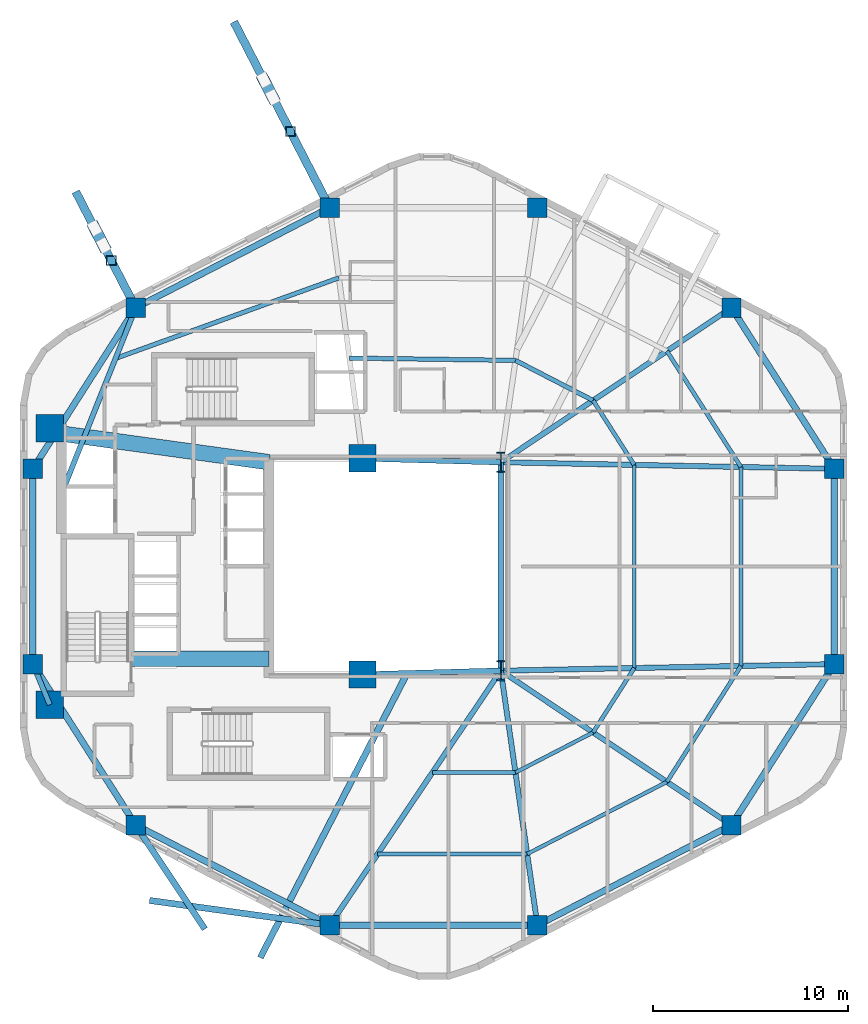
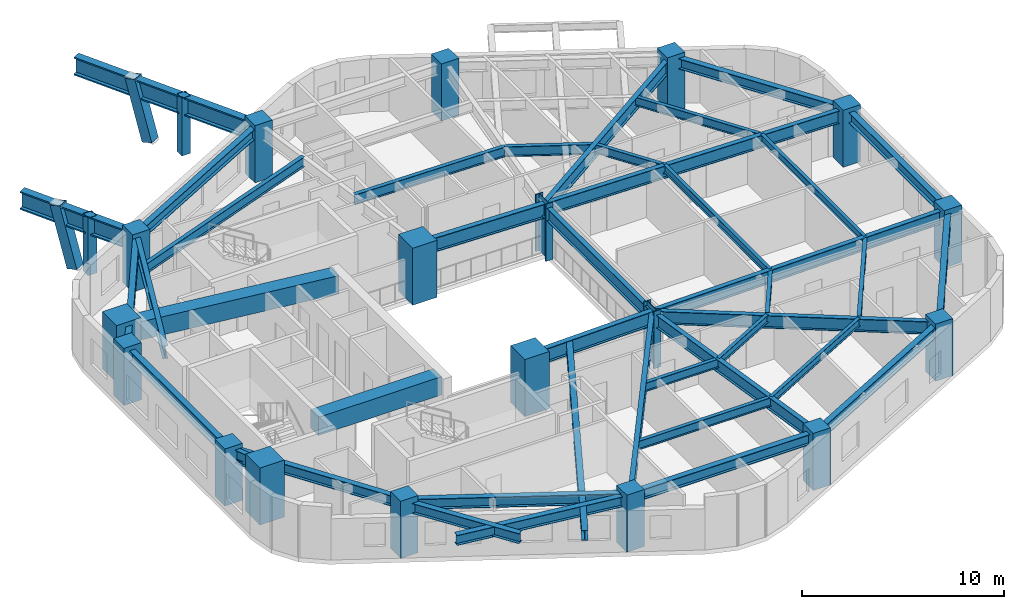
# One storey, part 1 of 8: 41 beams, 18 columns, 4 members.
"""IFC4 building model written with IfcOpenShell, lengths in metres."""

import ifcopenshell
import ifcopenshell.guid

model = None  # the IFC model being written
_history = None  # IfcOwnerHistory: only IFC2X3 demands one
_inside = {}  # id of a spatial element -> (the spatial element, [elements in it])
_under = {}  # id of a project, library or spatial element -> (it, [spatial elements below it])
_declared = {}  # id of a project -> (the project, [libraries it declares])
_typed = {}  # id of a type object -> (the type object, [elements of that type])
_made_of = {}  # id of a material, layer set ... -> (it, [elements and type objects made of it])


def new_model(schema):
    """Start an empty IFC model of exactly this schema.

    Asked for "IFC4X3", IfcOpenShell would pick the latest addendum, in which some entities
    have other attributes; the version numbers below select the first issue.
    IFC2X3 requires an IfcOwnerHistory on every rooted entity: one is made here for all.
    """
    global model, _history
    if schema == "IFC4X3":
        model = ifcopenshell.file(schema_version=(4, 3, 0, 0))
    else:
        model = ifcopenshell.file(schema=schema)
    _inside.clear()
    _under.clear()
    _declared.clear()
    _typed.clear()
    _made_of.clear()
    _history = None
    if model.schema == "IFC2X3":
        org = make("IfcOrganization", Name="unknown")
        user = make(
            "IfcPersonAndOrganization",
            ThePerson=make("IfcPerson", FamilyName="unknown"),
            TheOrganization=org,
        )
        app = make(
            "IfcApplication",
            ApplicationDeveloper=org,
            Version="unknown",
            ApplicationFullName="unknown",
            ApplicationIdentifier="unknown",
        )
        _history = make(
            "IfcOwnerHistory",
            OwningUser=user,
            OwningApplication=app,
            ChangeAction="ADDED",
            CreationDate=0,
        )
    return model


def make(cls, **values):
    """One entity of the class cls with the attributes given. An attribute that is None is left unset."""
    return model.create_entity(
        cls, **{name: value for name, value in values.items() if value is not None}
    )


def rooted(cls, **values):
    """An entity with a GlobalId (a new one), such as an element, a storey or a relation."""
    return make(cls, GlobalId=ifcopenshell.guid.new(), OwnerHistory=_history, **values)


def si_unit(unit_type, name, prefix=None):
    """IfcSIUnit, for example si_unit("LENGTHUNIT", "METRE", prefix="MILLI")."""
    return make("IfcSIUnit", UnitType=unit_type, Prefix=prefix, Name=name)


def assignment(units):
    """IfcUnitAssignment: the units of a project."""
    return None if units is None else make("IfcUnitAssignment", Units=units)


def point(xyz):
    """IfcCartesianPoint."""
    return None if xyz is None else make("IfcCartesianPoint", Coordinates=xyz)


def direction(xyz):
    """IfcDirection."""
    return None if xyz is None else make("IfcDirection", DirectionRatios=xyz)


def frame(location, z_axis=None, x_axis=None):
    """IfcAxis2Placement3D, a coordinate frame: its origin and axes. An axis left out is left unset."""
    return make(
        "IfcAxis2Placement3D",
        Location=point(location),
        Axis=direction(z_axis),
        RefDirection=direction(x_axis),
    )


def frame_2d(location, x_axis=None):
    """IfcAxis2Placement2D, a coordinate frame in the plane: its origin and x axis."""
    return make(
        "IfcAxis2Placement2D", Location=point(location), RefDirection=direction(x_axis)
    )


def origin():
    """The frame at (0, 0, 0) with its axes left unset."""
    return frame((0.0, 0.0, 0.0))


def origin_2d():
    """The frame at (0, 0) in the plane with its x axis left unset."""
    return frame_2d((0.0, 0.0))


def place(relative_to, where):
    """IfcLocalPlacement: puts the frame where relative to a parent placement (None: the world)."""
    return make(
        "IfcLocalPlacement", PlacementRelTo=relative_to, RelativePlacement=where
    )


def context(
    kind, dimensions, precision=None, world=None, true_north=None, identifier=None
):
    """IfcGeometricRepresentationContext, for example the 3D "Model" context."""
    return make(
        "IfcGeometricRepresentationContext",
        ContextIdentifier=identifier,
        ContextType=kind,
        CoordinateSpaceDimension=dimensions,
        Precision=precision,
        WorldCoordinateSystem=world,
        TrueNorth=true_north,
    )


def subcontext(parent, identifier, kind, view, scale=None):
    """IfcGeometricRepresentationSubContext, for example "Body" below "Model"."""
    return make(
        "IfcGeometricRepresentationSubContext",
        ContextIdentifier=identifier,
        ContextType=kind,
        ParentContext=parent,
        TargetScale=scale,
        TargetView=view,
    )


def project(units=None, contexts=None):
    """IfcProject with its units and contexts."""
    return rooted(
        "IfcProject",
        Name="project",
        RepresentationContexts=contexts,
        UnitsInContext=assignment(units),
    )


def spatial(cls, under=None, at=None, **own):
    """A site, building, storey or space (cls), placed at a placement, below another one or the project."""
    s = rooted(cls, ObjectPlacement=at, **own)
    if under is not None:
        _under.setdefault(under.id(), (under, []))[1].append(s)
    return s


def profile(cls, at=None, kind="AREA", **sizes):
    """A parametric profile (cls). Its sizes go by their IFC names, for example OverallWidth=200.0."""
    return make(cls, ProfileType=kind, Position=at, **sizes)


def rectangle(**sizes):
    """IfcRectangleProfileDef."""
    return profile("IfcRectangleProfileDef", **sizes)


def hollow_rectangle(**sizes):
    """IfcRectangleHollowProfileDef."""
    return profile("IfcRectangleHollowProfileDef", **sizes)


def i_section(**sizes):
    """IfcIShapeProfileDef."""
    return profile("IfcIShapeProfileDef", **sizes)


def extrude(swept, where, along, depth):
    """IfcExtrudedAreaSolid: the profile swept, set in the frame where, extruded along a direction by depth."""
    return make(
        "IfcExtrudedAreaSolid",
        SweptArea=swept,
        Position=where,
        ExtrudedDirection=direction(along),
        Depth=depth,
    )


def shape(context_of_items, identifier, shape_type, items):
    """IfcShapeRepresentation: the items that make up one representation, for example the "Body"."""
    return make(
        "IfcShapeRepresentation",
        ContextOfItems=context_of_items,
        RepresentationIdentifier=identifier,
        RepresentationType=shape_type,
        Items=items,
    )


def material(Name=None, Category=None):
    """IfcMaterial."""
    return make("IfcMaterial", Name=Name, Category=Category)


def material_profile(
    of_material, cross_section, Name=None, Category=None, Priority=None
):
    """IfcMaterialProfile: a cross section and its material."""
    return make(
        "IfcMaterialProfile",
        Name=Name,
        Material=of_material,
        Profile=cross_section,
        Priority=Priority,
        Category=Category,
    )


def profile_set(profiles, Name=None, composite=None):
    """IfcMaterialProfileSet."""
    return make(
        "IfcMaterialProfileSet",
        Name=Name,
        MaterialProfiles=profiles,
        CompositeProfile=composite,
    )


def made_of(thing, what):
    """Note that an element or type object is made of a material, layer set ...; save() writes the relation."""
    if what is not None:
        _made_of.setdefault(what.id(), (what, []))[1].append(thing)
    return thing


def type_object(cls, material=None, **own):
    """A type object (cls), such as IfcWallType, which elements share."""
    return made_of(rooted(cls, **own), material)


def element(
    cls,
    number,
    at=None,
    inside=None,
    cuts=None,
    type_object=None,
    material=None,
    context=None,
    identifier="Body",
    shape_type=None,
    held_by="IfcProductDefinitionShape",
    body=None,
    shapes=None,
    **own,
):
    """One element of the class cls, such as IfcWall. Its Tag is "e" and its number.

    at: its placement. inside: the storey or other place that contains it. cuts: it is an
    opening in that element (IfcRelVoidsElement). A single representation is given by context,
    identifier, shape_type and body (its items); several are given by shapes. held_by: the class
    of the entity that holds the representations. save() writes the other relations.
    """
    e = rooted(cls, Tag="e%d" % number, ObjectPlacement=at, **own)
    if body is not None:
        shapes = [shape(context, identifier, shape_type, body)]
    if shapes is not None:
        e.Representation = make(held_by, Representations=shapes)
    if inside is not None:
        _inside.setdefault(inside.id(), (inside, []))[1].append(e)
    if cuts is not None:
        rooted(
            "IfcRelVoidsElement", RelatingBuildingElement=cuts, RelatedOpeningElement=e
        )
    if type_object is not None:
        _typed.setdefault(type_object.id(), (type_object, []))[1].append(e)
    return made_of(e, material)


def aggregate(whole, parts):
    """IfcRelAggregates: a whole, such as a stair, and the parts it consists of."""
    return rooted("IfcRelAggregates", RelatingObject=whole, RelatedObjects=parts)


def save(model, path):
    """Write the relations noted so far, then the file.

    IfcRelAggregates (storeys below a building ...), IfcRelContainedInSpatialStructure (elements
    in a storey), IfcRelDefinesByType, IfcRelAssociatesMaterial and IfcRelDeclares: one each for
    every whole, place, type object, material and project.
    """
    for whole, parts in _under.values():
        aggregate(whole, parts)
    for where, things in _inside.values():
        rooted(
            "IfcRelContainedInSpatialStructure",
            RelatedElements=things,
            RelatingStructure=where,
        )
    for kind, things in _typed.values():
        rooted("IfcRelDefinesByType", RelatedObjects=things, RelatingType=kind)
    for what, things in _made_of.values():
        rooted("IfcRelAssociatesMaterial", RelatedObjects=things, RelatingMaterial=what)
    for by, libraries in _declared.values():
        rooted("IfcRelDeclares", RelatingContext=by, RelatedDefinitions=libraries)
    model.write(path)


model = new_model("IFC4")

# Units and contexts
model_context = context("Model", 3, precision=1e-05, world=origin(), true_north=direction((0.0, 1.0)))
body_context = subcontext(model_context, "Body", "Model", "MODEL_VIEW")
ifc_project = project(units=[si_unit("LENGTHUNIT", "METRE"), si_unit("AREAUNIT", "SQUARE_METRE"), si_unit("VOLUMEUNIT", "CUBIC_METRE"), si_unit("PLANEANGLEUNIT", "RADIAN"), si_unit("MASSUNIT", "GRAM", prefix="KILO"), si_unit("THERMODYNAMICTEMPERATUREUNIT", "KELVIN"), si_unit("POWERUNIT", "WATT")], contexts=[model_context])

# Site, building, storey
site_placement = place(None, origin())
site = spatial("IfcSite", under=ifc_project, at=site_placement, CompositionType="ELEMENT")
building_placement = place(site_placement, origin())
building = spatial("IfcBuilding", under=site, at=building_placement, Name="Skarre Station Tower", CompositionType="ELEMENT")
storey_placement = place(building_placement, frame((0.0, 0.0, 129.14990234375)))
storey = spatial("IfcBuildingStorey", under=building, at=storey_placement, Name="L34", CompositionType="ELEMENT", Elevation=129.14990234375)

# Columns
ifc_material_1 = material(Name="Concrete C60/75", Category="concrete")
ifc_material_profile_1 = material_profile(ifc_material_1, rectangle(XDim=1.0, YDim=1.0, at=origin_2d()), Name="Concrete C60/75")
ifc_profile_set_1 = profile_set([ifc_material_profile_1], Name="Concrete C60/75")
column_type_1 = type_object("IfcColumnType", Name="RC Structural Column RC-COL-1000X1000", PredefinedType="COLUMN", material=ifc_profile_set_1)
for number, where, z_axis, x_axis, name in (
    (1, (51.291015625, 37.277099609375, 0.0), (0.0, 0.0, 1.0), (1.0, 0.0, 0.0), "L34 Zone 2 Perimeter Column F0C1"),
    (2, (41.3310546875, 42.41796875, 0.0), (0.0, 0.0, 1.0), (1.0, 0.0, 0.0), "L34 Zone 2 Perimeter Column F0C2"),
    (3, (30.6689453125, 42.41796875, 0.0), (0.0, 0.0, 1.0), (1.0, 0.0, 0.0), "L34 Zone 2 Perimeter Column F1C1"),
    (4, (20.708984375, 37.277099609375, 0.0), (0.0, 0.0, 1.0), (1.0, 0.0, 0.0), "L34 Zone 2 Perimeter Column F1C2"),
    (5, (15.431884765625, 29.010986328125, 0.0), (0.0, 0.0, 1.0), (1.0, 0.0, 0.0), "L34 Zone 2 Perimeter Column F2C1"),
    (6, (15.431884765625, 18.989013671875, 0.0), (0.0, 0.0, 1.0), (1.0, 0.0, 0.0), "L34 Zone 2 Perimeter Column F2C2"),
    (7, (20.708984375, 10.722900390625, 0.0), (0.0, 0.0, 1.0), (1.0, 0.0, 0.0), "L34 Zone 2 Perimeter Column F3C1"),
    (8, (30.6689453125, 5.58203125, 0.0), (0.0, 0.0, 1.0), (1.0, 0.0, 0.0), "L34 Zone 2 Perimeter Column F3C2"),
    (9, (41.3310546875, 5.58203125, 0.0), (0.0, 0.0, 1.0), (1.0, 0.0, 0.0), "L34 Zone 2 Perimeter Column F4C1"),
    (10, (51.291015625, 10.722900390625, 0.0), (0.0, 0.0, 1.0), (1.0, 0.0, 0.0), "L34 Zone 2 Perimeter Column F4C2"),
    (11, (56.568115234375, 18.989013671875, 0.0), (0.0, 0.0, 1.0), (1.0, 0.0, 0.0), "L34 Zone 2 Perimeter Column F5C1"),
    (12, (56.568115234375, 29.010986328125, 0.0), (0.0, 0.0, 1.0), (1.0, 0.0, 0.0), "L34 Zone 2 Perimeter Column F5C2"),
):
    element("IfcColumn", number, at=place(storey_placement, frame(where, z_axis=z_axis, x_axis=x_axis)), inside=storey, type_object=column_type_1, Name=name, PredefinedType="COLUMN", context=body_context, shape_type="SweptSolid", body=[
        extrude(rectangle(XDim=1.0, YDim=1.0, at=origin_2d()), origin(), (0.0, 0.0, 1.0), 3.4501953125),
    ])
ifc_material_2 = material(Name="Concrete C70/85", Category="concrete")
ifc_material_profile_2 = material_profile(ifc_material_2, rectangle(XDim=1.39990234375, YDim=1.39990234375, at=origin_2d()), Name="Concrete C70/85")
ifc_profile_set_2 = profile_set([ifc_material_profile_2], Name="Concrete C70/85")
column_type_2 = type_object("IfcColumnType", Name="RC Structural Column RC-COL-1400X1400", PredefinedType="COLUMN", material=ifc_profile_set_2)
for number, where, z_axis, x_axis, name in (
    (13, (16.300048828125, 16.89990234375, 0.0), (0.0, 0.0, 1.0), (1.0, 0.0, 0.0), "L34 Core Column CC-SW"),
    (14, (16.300048828125, 31.10009765625, 0.0), (0.0, 0.0, 1.0), (1.0, 0.0, 0.0), "L34 Core Column CC-NW"),
    (15, (32.35009765625, 18.449951171875, 0.0), (0.0, 0.0, 1.0), (1.0, 0.0, 0.0), "L34 Core Column CC-SE"),
    (16, (32.35009765625, 29.550048828125, 0.0), (0.0, 0.0, 1.0), (1.0, 0.0, 0.0), "L34 Core Column CC-NE"),
):
    element("IfcColumn", number, at=place(storey_placement, frame(where, z_axis=z_axis, x_axis=x_axis)), inside=storey, type_object=column_type_2, Name=name, PredefinedType="COLUMN", context=body_context, shape_type="SweptSolid", body=[
        extrude(rectangle(XDim=1.39990234375, YDim=1.39990234375, at=origin_2d()), origin(), (0.0, 0.0, 1.0), 3.4501953125),
    ])
ifc_material_3 = material(Name="Steel ASTM A913 Grade 65", Category="steel")
ifc_material_profile_3 = material_profile(ifc_material_3, i_section(OverallWidth=0.409912109375, OverallDepth=1.041015625, WebThickness=0.031005859375, FlangeThickness=0.055908203125, at=origin_2d()), Name="Steel ASTM A913 Grade 65")
ifc_profile_set_3 = profile_set([ifc_material_profile_3], Name="Steel ASTM A913 Grade 65")
column_type_3 = type_object("IfcColumnType", Name="Steel Column W40X397", PredefinedType="COLUMN", material=ifc_profile_set_3)
for number, where, z_axis, x_axis, name in (
    (17, (39.449951171875, 18.64990234375, 0.0), (0.0, 0.0, 1.0), (1.0, 0.0, 0.0), "L34 Atrium Spine Column AC-SE"),
    (18, (39.449951171875, 29.35009765625, 0.0), (0.0, 0.0, 1.0), (1.0, 0.0, 0.0), "L34 Atrium Spine Column AC-NE"),
):
    element("IfcColumn", number, at=place(storey_placement, frame(where, z_axis=z_axis, x_axis=x_axis)), inside=storey, type_object=column_type_3, Name=name, PredefinedType="COLUMN", context=body_context, shape_type="SweptSolid", body=[
        extrude(i_section(OverallWidth=0.409912109375, OverallDepth=1.041015625, WebThickness=0.031005859375, FlangeThickness=0.055908203125, at=origin_2d()), origin(), (0.0, 0.0, 1.0), 3.4501953125),
    ])

# Beams
ifc_material_profile_4 = material_profile(ifc_material_2, rectangle(XDim=0.800048828125, YDim=1.10009765625, at=origin_2d()), Name="Concrete C70/85")
ifc_profile_set_4 = profile_set([ifc_material_profile_4], Name="Concrete C70/85")
beam_type_1 = type_object("IfcBeamType", Name="RC Core Coupling Lintel 800x1100", PredefinedType="LINTEL", material=ifc_profile_set_4)
beam_1_placement = place(storey_placement, frame((20.489990234375, 19.260009765625, 2.64013671875), z_axis=(1.0, 0.0, 0.0), x_axis=(0.0, 1.0, 0.0)))
element("IfcBeam", 19, at=beam_1_placement, inside=storey, type_object=beam_type_1, Name="L34 South Core Coupling Lintel", PredefinedType="LINTEL", context=body_context, shape_type="SweptSolid", body=[
    extrude(rectangle(XDim=0.800048828125, YDim=1.10009765625, at=origin_2d()), origin(), (0.0, 0.0, 1.0), 7.06005859375),
])
beam_2_placement = place(storey_placement, frame((17.050048828125, 30.800048828125, 2.64013671875), z_axis=(0.990599723633, -0.136792498109, 0.0), x_axis=(0.136792498109, 0.990599723633, 0.0)))
element("IfcBeam", 20, at=beam_2_placement, inside=storey, type_object=beam_type_1, Name="L34 North Core Coupling Lintel", PredefinedType="LINTEL", context=body_context, shape_type="SweptSolid", body=[
    extrude(rectangle(XDim=0.800048828125, YDim=1.10009765625, at=origin_2d()), origin(), (0.0, 0.0, 1.0), 10.599609375),
])
ifc_material_4 = material(Name="Steel ASTM A992 Grade 50", Category="steel")
ifc_material_profile_5 = material_profile(ifc_material_4, i_section(OverallWidth=0.323974609375, OverallDepth=0.611083984375, WebThickness=0.012939453125, FlangeThickness=0.01904296875, at=origin_2d()), Name="Steel ASTM A992 Grade 50")
ifc_profile_set_5 = profile_set([ifc_material_profile_5], Name="Steel ASTM A992 Grade 50")
beam_type_2 = type_object("IfcBeamType", Name="Steel Beam W24X104", PredefinedType="BEAM", material=ifc_profile_set_5)
beam_3_placement = place(storey_placement, frame((20.708984375, 10.722900390625, 2.800048828125), z_axis=(0.554374893847, -0.83226707076, 0.0), x_axis=(0.83226707076, 0.554374893847, 0.0)))
element("IfcBeam", 21, at=beam_3_placement, inside=storey, type_object=beam_type_2, Name="L34 TB-L35-F3 Center Outrigger Beam", PredefinedType="BEAM", context=body_context, shape_type="SweptSolid", body=[
    extrude(i_section(OverallWidth=0.323974609375, OverallDepth=0.611083984375, WebThickness=0.012939453125, FlangeThickness=0.01904296875, at=origin_2d()), origin(), (0.0, 0.0, 1.0), 6.408935546875),
])
beam_4_placement = place(storey_placement, frame((30.6689453125, 5.58203125, 2.800048828125), z_axis=(-0.990635036315, 0.13653653293, 0.0), x_axis=(-0.13653653293, -0.990635036315, 0.0)))
element("IfcBeam", 22, at=beam_4_placement, inside=storey, type_object=beam_type_2, Name="L34 TB-L35-F3 Outrigger Beam 1", PredefinedType="BEAM", context=body_context, shape_type="SweptSolid", body=[
    extrude(i_section(OverallWidth=0.323974609375, OverallDepth=0.611083984375, WebThickness=0.012939453125, FlangeThickness=0.01904296875, at=origin_2d()), origin(), (0.0, 0.0, 1.0), 9.33740234375),
])
beam_5_placement = place(storey_placement, frame((34.638916015625, 18.513916015625, 2.800048828125), z_axis=(-0.458694797792, -0.888593879384, 0.0), x_axis=(0.888593879384, -0.458694797792, 0.0)))
element("IfcBeam", 23, at=beam_5_placement, inside=storey, type_object=beam_type_2, Name="L34 TB-L35-F3 Outrigger Beam 2", PredefinedType="BEAM", context=body_context, shape_type="SweptSolid", body=[
    extrude(i_section(OverallWidth=0.323974609375, OverallDepth=0.611083984375, WebThickness=0.012939453125, FlangeThickness=0.01904296875, at=origin_2d()), origin(), (0.0, 0.0, 1.0), 16.422607421875),
])
ifc_material_profile_6 = material_profile(ifc_material_4, i_section(OverallWidth=0.26806640625, OverallDepth=0.77001953125, WebThickness=0.01611328125, FlangeThickness=0.02490234375, at=origin_2d()), Name="Steel ASTM A992 Grade 50")
ifc_profile_set_6 = profile_set([ifc_material_profile_6], Name="Steel ASTM A992 Grade 50")
beam_type_3 = type_object("IfcBeamType", Name="Steel Beam W30X132", PredefinedType="BEAM", material=ifc_profile_set_6)
beam_6_placement = place(storey_placement, frame((39.449951171875, 18.64990234375, 2.80517578125), z_axis=(0.0, 1.0, 0.0), x_axis=(-1.0, 0.0, 0.0)))
element("IfcBeam", 24, at=beam_6_placement, inside=storey, type_object=beam_type_3, Name="L34 Atrium East Edge Girder", PredefinedType="BEAM", context=body_context, shape_type="SweptSolid", body=[
    extrude(i_section(OverallWidth=0.26806640625, OverallDepth=0.77001953125, WebThickness=0.01611328125, FlangeThickness=0.02490234375, at=origin_2d()), origin(), (0.0, 0.0, 1.0), 10.7001953125),
])
beam_7_placement = place(storey_placement, frame((39.449951171875, 29.35009765625, 2.80517578125), z_axis=(0.830981218317, 0.556300471692, 0.0), x_axis=(-0.556300471692, 0.830981218317, 0.0)))
element("IfcBeam", 25, at=beam_7_placement, inside=storey, type_object=beam_type_3, Name="L34 Radial Floor Girder F0C1", PredefinedType="BEAM", context=body_context, shape_type="SweptSolid", body=[
    extrude(i_section(OverallWidth=0.26806640625, OverallDepth=0.77001953125, WebThickness=0.01611328125, FlangeThickness=0.02490234375, at=origin_2d()), origin(), (0.0, 0.0, 1.0), 14.24951171875),
])
beam_8_placement = place(storey_placement, frame((17.010009765625, 28.0, 2.80517578125), z_axis=(0.370366288946, 0.928885790618, 0.0), x_axis=(-0.928885790618, 0.370366288946, 0.0)))
element("IfcBeam", 26, at=beam_8_placement, inside=storey, type_object=beam_type_3, Name="L34 Radial Floor Girder F1C2", PredefinedType="BEAM", context=body_context, shape_type="SweptSolid", body=[
    extrude(i_section(OverallWidth=0.26806640625, OverallDepth=0.77001953125, WebThickness=0.01611328125, FlangeThickness=0.02490234375, at=origin_2d()), origin(), (0.0, 0.0, 1.0), 9.9873046875),
])
beam_9_placement = place(storey_placement, frame((16.300048828125, 16.89990234375, 2.80517578125), z_axis=(-0.383749333092, 0.923437301256, 0.0), x_axis=(-0.923437301256, -0.383749333092, 0.0)))
element("IfcBeam", 27, at=beam_9_placement, inside=storey, type_object=beam_type_3, Name="L34 Radial Floor Girder F2C2", PredefinedType="BEAM", context=body_context, shape_type="SweptSolid", body=[
    extrude(i_section(OverallWidth=0.26806640625, OverallDepth=0.77001953125, WebThickness=0.01611328125, FlangeThickness=0.02490234375, at=origin_2d()), origin(), (0.0, 0.0, 1.0), 2.26220703125),
])
beam_10_placement = place(storey_placement, frame((39.449951171875, 18.64990234375, 2.80517578125), z_axis=(-0.55773464691, -0.830019315219, 0.0), x_axis=(0.830019315219, -0.55773464691, 0.0)))
element("IfcBeam", 28, at=beam_10_placement, inside=storey, type_object=beam_type_3, Name="L34 Radial Floor Girder F3C2", PredefinedType="BEAM", context=body_context, shape_type="SweptSolid", body=[
    extrude(i_section(OverallWidth=0.26806640625, OverallDepth=0.77001953125, WebThickness=0.01611328125, FlangeThickness=0.02490234375, at=origin_2d()), origin(), (0.0, 0.0, 1.0), 15.744140625),
])
beam_11_placement = place(storey_placement, frame((39.449951171875, 18.64990234375, 2.80517578125), z_axis=(0.142480121776, -0.989797663616, 0.0), x_axis=(0.989797663616, 0.142480121776, 0.0)))
element("IfcBeam", 29, at=beam_11_placement, inside=storey, type_object=beam_type_3, Name="L34 Radial Floor Girder F4C1", PredefinedType="BEAM", context=body_context, shape_type="SweptSolid", body=[
    extrude(i_section(OverallWidth=0.26806640625, OverallDepth=0.77001953125, WebThickness=0.01611328125, FlangeThickness=0.02490234375, at=origin_2d()), origin(), (0.0, 0.0, 1.0), 13.20263671875),
])
beam_12_placement = place(storey_placement, frame((39.449951171875, 18.64990234375, 2.80517578125), z_axis=(0.830981218317, -0.556300471692, 0.0), x_axis=(0.556300471692, 0.830981218317, 0.0)))
element("IfcBeam", 30, at=beam_12_placement, inside=storey, type_object=beam_type_3, Name="L34 Radial Floor Girder F4C2", PredefinedType="BEAM", context=body_context, shape_type="SweptSolid", body=[
    extrude(i_section(OverallWidth=0.26806640625, OverallDepth=0.77001953125, WebThickness=0.01611328125, FlangeThickness=0.02490234375, at=origin_2d()), origin(), (0.0, 0.0, 1.0), 14.24951171875),
])
for number, where, z_axis, x_axis, name in (
    (31, (39.449951171875, 18.64990234375, 2.80517578125), (0.999803839107, 0.019806143142, 0.0), (-0.019806143142, 0.999803839107, 0.0), "L34 Radial Floor Girder F5C1"),
    (32, (39.449951171875, 29.35009765625, 2.80517578125), (0.999803839107, -0.019806143142, 0.0), (0.019806143142, 0.999803839107, 0.0), "L34 Radial Floor Girder F5C2"),
):
    element("IfcBeam", number, at=place(storey_placement, frame(where, z_axis=z_axis, x_axis=x_axis)), inside=storey, type_object=beam_type_3, Name=name, PredefinedType="BEAM", context=body_context, shape_type="SweptSolid", body=[
        extrude(i_section(OverallWidth=0.26806640625, OverallDepth=0.77001953125, WebThickness=0.01611328125, FlangeThickness=0.02490234375, at=origin_2d()), origin(), (0.0, 0.0, 1.0), 17.12158203125),
    ])
ifc_material_profile_7 = material_profile(ifc_material_4, i_section(OverallWidth=0.2919921875, OverallDepth=0.85888671875, WebThickness=0.01708984375, FlangeThickness=0.031005859375, at=origin_2d()), Name="Steel ASTM A992 Grade 50")
ifc_profile_set_7 = profile_set([ifc_material_profile_7], Name="Steel ASTM A992 Grade 50")
beam_type_4 = type_object("IfcBeamType", Name="Steel Beam W33X169", PredefinedType="BEAM", material=ifc_profile_set_7)
for number, where, z_axis, x_axis, name in (
    (33, (32.35009765625, 18.449951171875, 2.760986328125), (0.999603666405, 0.028151556095, 0.0), (-0.028151556095, 0.999603666405, 0.0), "L34 Atrium South Edge Girder"),
    (34, (32.35009765625, 29.550048828125, 2.760986328125), (0.999603666405, -0.028151556095, 0.0), (0.028151556095, 0.999603666405, 0.0), "L34 Atrium North Edge Girder"),
):
    element("IfcBeam", number, at=place(storey_placement, frame(where, z_axis=z_axis, x_axis=x_axis)), inside=storey, type_object=beam_type_4, Name=name, PredefinedType="BEAM", context=body_context, shape_type="SweptSolid", body=[
        extrude(i_section(OverallWidth=0.2919921875, OverallDepth=0.85888671875, WebThickness=0.01708984375, FlangeThickness=0.031005859375, at=origin_2d()), origin(), (0.0, 0.0, 1.0), 7.102783203125),
    ])
ifc_material_profile_8 = material_profile(ifc_material_4, i_section(OverallWidth=0.19091796875, OverallDepth=0.45703125, WebThickness=0.009033203125, FlangeThickness=0.013916015625, at=origin_2d()), Name="Steel ASTM A992 Grade 50")
ifc_profile_set_8 = profile_set([ifc_material_profile_8], Name="Steel ASTM A992 Grade 50")
beam_type_5 = type_object("IfcBeamType", Name="Steel Joist W18X50", PredefinedType="JOIST", material=ifc_profile_set_8)
beam_13_placement = place(storey_placement, frame((40.201904296875, 13.423095703125, 2.962158203125), z_axis=(0.888658598325, 0.458569401097, 0.0), x_axis=(-0.458569401097, 0.888658598325, 0.0)))
element("IfcBeam", 35, at=beam_13_placement, inside=storey, type_object=beam_type_5, Name="L34 Auxiliary Composite Joist 9", PredefinedType="JOIST", context=body_context, shape_type="SweptSolid", body=[
    extrude(i_section(OverallWidth=0.19091796875, OverallDepth=0.45703125, WebThickness=0.009033203125, FlangeThickness=0.013916015625, at=origin_2d()), origin(), (0.0, 0.0, 1.0), 4.4833984375),
])
beam_14_placement = place(storey_placement, frame((40.803955078125, 9.240966796875, 2.962158203125), z_axis=(0.888599977053, 0.458682985057, 0.0), x_axis=(-0.458682985057, 0.888599977053, 0.0)))
element("IfcBeam", 36, at=beam_14_placement, inside=storey, type_object=beam_type_5, Name="L34 Auxiliary Composite Joist 10", PredefinedType="JOIST", context=body_context, shape_type="SweptSolid", body=[
    extrude(i_section(OverallWidth=0.19091796875, OverallDepth=0.45703125, WebThickness=0.009033203125, FlangeThickness=0.013916015625, at=origin_2d()), origin(), (0.0, 0.0, 1.0), 8.0712890625),
])
beam_15_placement = place(storey_placement, frame((46.297119140625, 18.785888671875, 2.962158203125), z_axis=(0.0, 1.0, 0.0), x_axis=(-1.0, 0.0, 0.0)))
element("IfcBeam", 37, at=beam_15_placement, inside=storey, type_object=beam_type_5, Name="L34 Auxiliary Composite Joist 13", PredefinedType="JOIST", context=body_context, shape_type="SweptSolid", body=[
    extrude(i_section(OverallWidth=0.19091796875, OverallDepth=0.45703125, WebThickness=0.009033203125, FlangeThickness=0.013916015625, at=origin_2d()), origin(), (0.0, 0.0, 1.0), 10.42822265625),
])
beam_16_placement = place(storey_placement, frame((51.77490234375, 18.89404296875, 2.962158203125), z_axis=(0.0, 1.0, 0.0), x_axis=(-1.0, 0.0, 0.0)))
element("IfcBeam", 38, at=beam_16_placement, inside=storey, type_object=beam_type_5, Name="L34 Auxiliary Composite Joist 14", PredefinedType="JOIST", context=body_context, shape_type="SweptSolid", body=[
    extrude(i_section(OverallWidth=0.19091796875, OverallDepth=0.45703125, WebThickness=0.009033203125, FlangeThickness=0.013916015625, at=origin_2d()), origin(), (0.0, 0.0, 1.0), 10.2119140625),
])
ifc_material_profile_9 = material_profile(ifc_material_4, i_section(OverallWidth=0.208984375, OverallDepth=0.532958984375, WebThickness=0.010009765625, FlangeThickness=0.01611328125, at=origin_2d()), Name="Steel ASTM A992 Grade 50")
ifc_profile_set_9 = profile_set([ifc_material_profile_9], Name="Steel ASTM A992 Grade 50")
beam_type_6 = type_object("IfcBeamType", Name="Steel Joist W21X62", PredefinedType="JOIST", material=ifc_profile_set_9)
beam_17_placement = place(storey_placement, frame((35.93798828125, 13.423095703125, 2.923095703125), z_axis=(1.0, 0.0, 0.0), x_axis=(0.0, 1.0, 0.0)))
element("IfcBeam", 39, at=beam_17_placement, inside=storey, type_object=beam_type_6, Name="L34 Auxiliary Composite Joist 7", PredefinedType="JOIST", context=body_context, shape_type="SweptSolid", body=[
    extrude(i_section(OverallWidth=0.208984375, OverallDepth=0.532958984375, WebThickness=0.010009765625, FlangeThickness=0.01611328125, at=origin_2d()), origin(), (0.0, 0.0, 1.0), 4.263916015625),
])
beam_18_placement = place(storey_placement, frame((33.1279296875, 9.240966796875, 2.923095703125), z_axis=(1.0, 0.0, 0.0), x_axis=(0.0, 1.0, 0.0)))
element("IfcBeam", 40, at=beam_18_placement, inside=storey, type_object=beam_type_6, Name="L34 Auxiliary Composite Joist 8", PredefinedType="JOIST", context=body_context, shape_type="SweptSolid", body=[
    extrude(i_section(OverallWidth=0.208984375, OverallDepth=0.532958984375, WebThickness=0.010009765625, FlangeThickness=0.01611328125, at=origin_2d()), origin(), (0.0, 0.0, 1.0), 7.676025390625),
])
beam_19_placement = place(storey_placement, frame((44.18603515625, 15.47900390625, 2.923095703125), z_axis=(0.538090955129, 0.842886780065, 0.0), x_axis=(-0.842886780065, 0.538090955129, 0.0)))
element("IfcBeam", 41, at=beam_19_placement, inside=storey, type_object=beam_type_6, Name="L34 Auxiliary Composite Joist 11", PredefinedType="JOIST", context=body_context, shape_type="SweptSolid", body=[
    extrude(i_section(OverallWidth=0.208984375, OverallDepth=0.532958984375, WebThickness=0.010009765625, FlangeThickness=0.01611328125, at=origin_2d()), origin(), (0.0, 0.0, 1.0), 3.92333984375),
])
beam_20_placement = place(storey_placement, frame((47.97607421875, 12.943115234375, 2.923095703125), z_axis=(0.538072046089, 0.842898851119, 0.0), x_axis=(-0.842898851119, 0.538072046089, 0.0)))
element("IfcBeam", 42, at=beam_20_placement, inside=storey, type_object=beam_type_6, Name="L34 Auxiliary Composite Joist 12", PredefinedType="JOIST", context=body_context, shape_type="SweptSolid", body=[
    extrude(i_section(OverallWidth=0.208984375, OverallDepth=0.532958984375, WebThickness=0.010009765625, FlangeThickness=0.01611328125, at=origin_2d()), origin(), (0.0, 0.0, 1.0), 7.06005859375),
])
beam_21_placement = place(storey_placement, frame((46.297119140625, 29.214111328125, 2.923095703125), z_axis=(-0.538090955129, 0.842886780065, 0.0), x_axis=(-0.842886780065, -0.538090955129, 0.0)))
element("IfcBeam", 43, at=beam_21_placement, inside=storey, type_object=beam_type_6, Name="L34 Auxiliary Composite Joist 15", PredefinedType="JOIST", context=body_context, shape_type="SweptSolid", body=[
    extrude(i_section(OverallWidth=0.208984375, OverallDepth=0.532958984375, WebThickness=0.010009765625, FlangeThickness=0.01611328125, at=origin_2d()), origin(), (0.0, 0.0, 1.0), 3.92333984375),
])
beam_22_placement = place(storey_placement, frame((51.77490234375, 29.10595703125, 2.923095703125), z_axis=(-0.538072046089, 0.842898851119, 0.0), x_axis=(-0.842898851119, -0.538072046089, 0.0)))
element("IfcBeam", 44, at=beam_22_placement, inside=storey, type_object=beam_type_6, Name="L34 Auxiliary Composite Joist 16", PredefinedType="JOIST", context=body_context, shape_type="SweptSolid", body=[
    extrude(i_section(OverallWidth=0.208984375, OverallDepth=0.532958984375, WebThickness=0.010009765625, FlangeThickness=0.01611328125, at=origin_2d()), origin(), (0.0, 0.0, 1.0), 7.06005859375),
])
ifc_material_profile_10 = material_profile(ifc_material_4, i_section(OverallWidth=0.22802734375, OverallDepth=0.60791015625, WebThickness=0.010986328125, FlangeThickness=0.01708984375, at=origin_2d()), Name="Steel ASTM A992 Grade 50")
ifc_profile_set_10 = profile_set([ifc_material_profile_10], Name="Steel ASTM A992 Grade 50")
beam_type_7 = type_object("IfcBeamType", Name="Steel Joist W24X76", PredefinedType="JOIST", material=ifc_profile_set_10)
beam_23_placement = place(storey_placement, frame((44.18603515625, 32.52099609375, 2.885986328125), z_axis=(-0.888658598325, 0.458569401097, 0.0), x_axis=(-0.458569401097, -0.888658598325, 0.0)))
element("IfcBeam", 45, at=beam_23_placement, inside=storey, type_object=beam_type_7, Name="L34 Secondary Floor Joist 1", PredefinedType="JOIST", context=body_context, shape_type="SweptSolid", body=[
    extrude(i_section(OverallWidth=0.22802734375, OverallDepth=0.60791015625, WebThickness=0.010986328125, FlangeThickness=0.01708984375, at=origin_2d()), origin(), (0.0, 0.0, 1.0), 4.4833984375),
])
beam_24_placement = place(storey_placement, frame((40.201904296875, 34.576904296875, 2.885986328125), z_axis=(-0.999900725817, 0.014090369396, 0.0), x_axis=(-0.014090369396, -0.999900725817, 0.0)))
element("IfcBeam", 46, at=beam_24_placement, inside=storey, type_object=beam_type_7, Name="L34 Secondary Floor Joist 3", PredefinedType="JOIST", context=body_context, shape_type="SweptSolid", body=[
    extrude(i_section(OverallWidth=0.22802734375, OverallDepth=0.60791015625, WebThickness=0.010986328125, FlangeThickness=0.01708984375, at=origin_2d()), origin(), (0.0, 0.0, 1.0), 8.524658203125),
])
beam_25_placement = place(storey_placement, frame((31.139892578125, 38.81494140625, 2.885986328125), z_axis=(-0.940679663546, -0.339295992594, 0.0), x_axis=(0.339295992594, -0.940679663546, 0.0)))
element("IfcBeam", 47, at=beam_25_placement, inside=storey, type_object=beam_type_7, Name="L34 Secondary Floor Joist 6", PredefinedType="JOIST", context=body_context, shape_type="SweptSolid", body=[
    extrude(i_section(OverallWidth=0.22802734375, OverallDepth=0.60791015625, WebThickness=0.010986328125, FlangeThickness=0.01708984375, at=origin_2d()), origin(), (0.0, 0.0, 1.0), 12.18994140625),
])
ifc_material_profile_11 = material_profile(ifc_material_4, i_section(OverallWidth=0.327880859375, OverallDepth=0.6279296875, WebThickness=0.01708984375, FlangeThickness=0.028076171875, at=origin_2d()), Name="Steel ASTM A992 Grade 50")
ifc_profile_set_11 = profile_set([ifc_material_profile_11], Name="Steel ASTM A992 Grade 50")
beam_type_8 = type_object("IfcBeamType", Name="Steel Spandrel W24X146", PredefinedType="SPANDREL", material=ifc_profile_set_11)
beam_26_placement = place(storey_placement, frame((30.6689453125, 42.41796875, 2.8759765625), z_axis=(-0.888611779493, -0.458660119639, 0.0), x_axis=(0.458660119639, -0.888611779493, 0.0)))
element("IfcBeam", 48, at=beam_26_placement, inside=storey, type_object=beam_type_8, Name="L34 Facet Spandrel Beam 3", PredefinedType="SPANDREL", context=body_context, shape_type="SweptSolid", body=[
    extrude(i_section(OverallWidth=0.327880859375, OverallDepth=0.6279296875, WebThickness=0.01708984375, FlangeThickness=0.028076171875, at=origin_2d()), origin(), (0.0, 0.0, 1.0), 11.20849609375),
])
beam_27_placement = place(storey_placement, frame((20.708984375, 37.277099609375, 2.8759765625), z_axis=(-0.538097547923, -0.842882571251, 0.0), x_axis=(0.842882571251, -0.538097547923, 0.0)))
element("IfcBeam", 49, at=beam_27_placement, inside=storey, type_object=beam_type_8, Name="L34 Facet Spandrel Beam 4", PredefinedType="SPANDREL", context=body_context, shape_type="SweptSolid", body=[
    extrude(i_section(OverallWidth=0.327880859375, OverallDepth=0.6279296875, WebThickness=0.01708984375, FlangeThickness=0.028076171875, at=origin_2d()), origin(), (0.0, 0.0, 1.0), 9.806884765625),
])
beam_28_placement = place(storey_placement, frame((15.431884765625, 29.010986328125, 2.8759765625), z_axis=(0.0, -1.0, 0.0), x_axis=(1.0, 0.0, 0.0)))
element("IfcBeam", 50, at=beam_28_placement, inside=storey, type_object=beam_type_8, Name="L34 Facet Spandrel Beam 5", PredefinedType="SPANDREL", context=body_context, shape_type="SweptSolid", body=[
    extrude(i_section(OverallWidth=0.327880859375, OverallDepth=0.6279296875, WebThickness=0.01708984375, FlangeThickness=0.028076171875, at=origin_2d()), origin(), (0.0, 0.0, 1.0), 10.02197265625),
])
beam_29_placement = place(storey_placement, frame((15.431884765625, 18.989013671875, 2.8759765625), z_axis=(0.538097547923, -0.842882571251, 0.0), x_axis=(0.842882571251, 0.538097547923, 0.0)))
element("IfcBeam", 51, at=beam_29_placement, inside=storey, type_object=beam_type_8, Name="L34 Facet Spandrel Beam 6", PredefinedType="SPANDREL", context=body_context, shape_type="SweptSolid", body=[
    extrude(i_section(OverallWidth=0.327880859375, OverallDepth=0.6279296875, WebThickness=0.01708984375, FlangeThickness=0.028076171875, at=origin_2d()), origin(), (0.0, 0.0, 1.0), 9.806884765625),
])
beam_30_placement = place(storey_placement, frame((20.708984375, 10.722900390625, 2.8759765625), z_axis=(0.888611779493, -0.458660119639, 0.0), x_axis=(0.458660119639, 0.888611779493, 0.0)))
element("IfcBeam", 52, at=beam_30_placement, inside=storey, type_object=beam_type_8, Name="L34 Facet Spandrel Beam 7", PredefinedType="SPANDREL", context=body_context, shape_type="SweptSolid", body=[
    extrude(i_section(OverallWidth=0.327880859375, OverallDepth=0.6279296875, WebThickness=0.01708984375, FlangeThickness=0.028076171875, at=origin_2d()), origin(), (0.0, 0.0, 1.0), 11.20849609375),
])
beam_31_placement = place(storey_placement, frame((30.6689453125, 5.58203125, 2.8759765625), z_axis=(1.0, 0.0, 0.0), x_axis=(0.0, 1.0, 0.0)))
element("IfcBeam", 53, at=beam_31_placement, inside=storey, type_object=beam_type_8, Name="L34 Facet Spandrel Beam 8", PredefinedType="SPANDREL", context=body_context, shape_type="SweptSolid", body=[
    extrude(i_section(OverallWidth=0.327880859375, OverallDepth=0.6279296875, WebThickness=0.01708984375, FlangeThickness=0.028076171875, at=origin_2d()), origin(), (0.0, 0.0, 1.0), 10.662109375),
])
beam_32_placement = place(storey_placement, frame((41.3310546875, 5.58203125, 2.8759765625), z_axis=(0.888611779493, 0.458660119639, 0.0), x_axis=(-0.458660119639, 0.888611779493, 0.0)))
element("IfcBeam", 54, at=beam_32_placement, inside=storey, type_object=beam_type_8, Name="L34 Facet Spandrel Beam 9", PredefinedType="SPANDREL", context=body_context, shape_type="SweptSolid", body=[
    extrude(i_section(OverallWidth=0.327880859375, OverallDepth=0.6279296875, WebThickness=0.01708984375, FlangeThickness=0.028076171875, at=origin_2d()), origin(), (0.0, 0.0, 1.0), 11.20849609375),
])
beam_33_placement = place(storey_placement, frame((51.291015625, 10.722900390625, 2.8759765625), z_axis=(0.538097547923, 0.842882571251, 0.0), x_axis=(-0.842882571251, 0.538097547923, 0.0)))
element("IfcBeam", 55, at=beam_33_placement, inside=storey, type_object=beam_type_8, Name="L34 Facet Spandrel Beam 10", PredefinedType="SPANDREL", context=body_context, shape_type="SweptSolid", body=[
    extrude(i_section(OverallWidth=0.327880859375, OverallDepth=0.6279296875, WebThickness=0.01708984375, FlangeThickness=0.028076171875, at=origin_2d()), origin(), (0.0, 0.0, 1.0), 9.806884765625),
])
beam_34_placement = place(storey_placement, frame((56.568115234375, 18.989013671875, 2.8759765625), z_axis=(0.0, 1.0, 0.0), x_axis=(-1.0, 0.0, 0.0)))
element("IfcBeam", 56, at=beam_34_placement, inside=storey, type_object=beam_type_8, Name="L34 Facet Spandrel Beam 11", PredefinedType="SPANDREL", context=body_context, shape_type="SweptSolid", body=[
    extrude(i_section(OverallWidth=0.327880859375, OverallDepth=0.6279296875, WebThickness=0.01708984375, FlangeThickness=0.028076171875, at=origin_2d()), origin(), (0.0, 0.0, 1.0), 10.02197265625),
])
beam_35_placement = place(storey_placement, frame((56.568115234375, 29.010986328125, 2.8759765625), z_axis=(-0.538097547923, 0.842882571251, 0.0), x_axis=(-0.842882571251, -0.538097547923, 0.0)))
element("IfcBeam", 57, at=beam_35_placement, inside=storey, type_object=beam_type_8, Name="L34 Facet Spandrel Beam 12", PredefinedType="SPANDREL", context=body_context, shape_type="SweptSolid", body=[
    extrude(i_section(OverallWidth=0.327880859375, OverallDepth=0.6279296875, WebThickness=0.01708984375, FlangeThickness=0.028076171875, at=origin_2d()), origin(), (0.0, 0.0, 1.0), 9.806884765625),
])
ifc_material_profile_12 = material_profile(ifc_material_3, i_section(OverallWidth=0.424072265625, OverallDepth=1.092041015625, WebThickness=0.044921875, FlangeThickness=0.08203125, at=origin_2d()), Name="Steel ASTM A913 Grade 65")
ifc_profile_set_12 = profile_set([ifc_material_profile_12], Name="Steel ASTM A913 Grade 65")
beam_type_9 = type_object("IfcBeamType", Name="Steel Transfer Girder W40X593", PredefinedType="USERDEFINED", material=ifc_profile_set_12)
beam_36_placement = place(storey_placement, frame((30.6689453125, 42.41796875, 2.64404296875), z_axis=(-0.458617417831, 0.888633818883, 0.0), x_axis=(-0.888633818883, -0.458617417831, 0.0)))
element("IfcBeam", 58, at=beam_36_placement, inside=storey, type_object=beam_type_9, Name="L34 SB-3 Exoskeleton Tier-2 Transfer Girder S1", ObjectType="TRANSFER_GIRDER", PredefinedType="USERDEFINED", context=body_context, shape_type="SweptSolid", body=[
    extrude(i_section(OverallWidth=0.424072265625, OverallDepth=1.092041015625, WebThickness=0.044921875, FlangeThickness=0.08203125, at=origin_2d()), origin(), (0.0, 0.0, 1.0), 10.729736328125),
])
beam_37_placement = place(storey_placement, frame((20.708984375, 37.277099609375, 2.64404296875), z_axis=(-0.458673502278, 0.888604871868, 0.0), x_axis=(-0.888604871868, -0.458673502278, 0.0)))
element("IfcBeam", 59, at=beam_37_placement, inside=storey, type_object=beam_type_9, Name="L34 SB-3 Exoskeleton Tier-2 Transfer Girder S2", ObjectType="TRANSFER_GIRDER", PredefinedType="USERDEFINED", context=body_context, shape_type="SweptSolid", body=[
    extrude(i_section(OverallWidth=0.424072265625, OverallDepth=1.092041015625, WebThickness=0.044921875, FlangeThickness=0.08203125, at=origin_2d()), origin(), (0.0, 0.0, 1.0), 6.71044921875),
])

# Members
ifc_material_5 = material(Name="Steel ASTM A501 Grade B", Category="steel")
ifc_material_profile_13 = material_profile(ifc_material_5, hollow_rectangle(XDim=0.5, YDim=0.5, WallThickness=0.02490234375, at=origin_2d()), Name="Steel ASTM A501 Grade B")
ifc_profile_set_13 = profile_set([ifc_material_profile_13], Name="Steel ASTM A501 Grade B")
member_type_1 = type_object("IfcMemberType", Name="Steel Truss Strut HSS500X500X25", PredefinedType="STRUT", material=ifc_profile_set_13)
for number, where, z_axis, x_axis, name in (
    (60, (28.65087890625, 46.327880859375, -0.27978515625), (0.0, 0.0, 1.0), (1.0, 0.0, 0.0), "L34 SB-3 Exoskeleton Post Tier 2 S1"),
    (61, (19.45703125, 39.702880859375, -0.27978515625), (0.0, 0.0, 1.0), (1.0, 0.0, 0.0), "L34 SB-3 Exoskeleton Post Tier 2 S2"),
):
    element("IfcMember", number, at=place(storey_placement, frame(where, z_axis=z_axis, x_axis=x_axis)), inside=storey, type_object=member_type_1, Name=name, PredefinedType="STRUT", context=body_context, shape_type="SweptSolid", body=[
        extrude(hollow_rectangle(XDim=0.5, YDim=0.5, WallThickness=0.02490234375, at=origin_2d()), origin(), (0.0, 0.0, 1.0), 3.469970703125),
    ])
ifc_material_profile_14 = material_profile(ifc_material_5, hollow_rectangle(XDim=0.60009765625, YDim=0.60009765625, WallThickness=0.028076171875, at=origin_2d()), Name="Steel ASTM A501 Grade B")
ifc_profile_set_14 = profile_set([ifc_material_profile_14], Name="Steel ASTM A501 Grade B")
member_type_2 = type_object("IfcMemberType", Name="Steel Truss Strut HSS600X600X28", PredefinedType="STRUT", material=ifc_profile_set_14)
for number, where, z_axis, x_axis, name in (
    (62, (27.742919921875, 48.0869140625, -0.27978515625), (-0.127094371407, 0.246211542906, 0.960846968511), (-0.888594994089, -0.458692638354, 0.0), "L34 SB-3 Exoskeleton Raking Strut Tier 2 S1"),
    (63, (19.05810546875, 40.47607421875, -0.27978515625), (-0.127096486621, 0.246148036057, 0.960862959757), (-0.888543643112, -0.458792103557, 0.0), "L34 SB-3 Exoskeleton Raking Strut Tier 2 S2"),
):
    element("IfcMember", number, at=place(storey_placement, frame(where, z_axis=z_axis, x_axis=x_axis)), inside=storey, type_object=member_type_2, Name=name, PredefinedType="STRUT", context=body_context, shape_type="SweptSolid", body=[
        extrude(hollow_rectangle(XDim=0.60009765625, YDim=0.60009765625, WallThickness=0.028076171875, at=origin_2d()), origin(), (0.0, 0.0, 1.0), 3.611328125),
    ])

save(model, "model.ifc")
